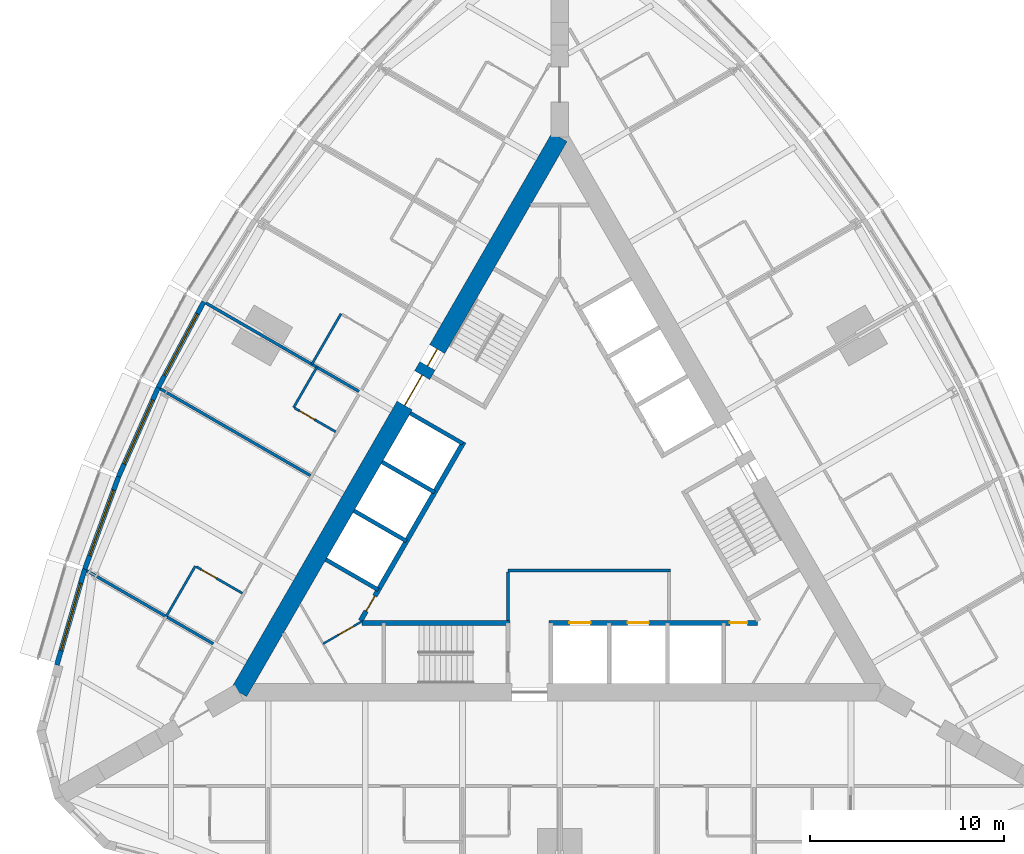
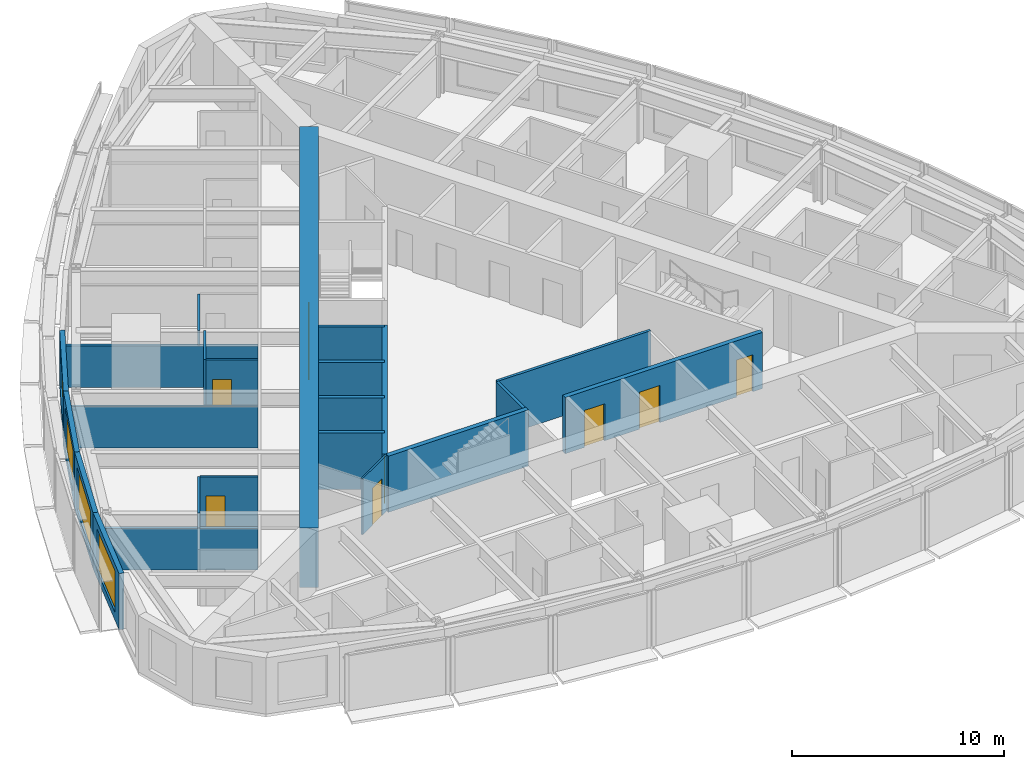
# One storey, part 9 of 14: 23 walls, 9 doors, 4 windows, 13 openings.
"""IFC4 building model written with IfcOpenShell, lengths in metres."""

from ifc_helpers import new_model, si_unit, direction, frame, frame_2d, origin, place, context, subcontext, project, spatial, rectangle, extrude, material, layer, layer_set, type_object, element, fill, save


model = new_model("IFC4")

# Units and contexts
model_context = context("Model", 3, precision=1e-05, world=origin(), true_north=direction((0.0, 1.0)))
body_context = subcontext(model_context, "Body", "Model", "MODEL_VIEW")
ifc_project = project(units=[si_unit("LENGTHUNIT", "METRE"), si_unit("AREAUNIT", "SQUARE_METRE"), si_unit("VOLUMEUNIT", "CUBIC_METRE"), si_unit("PLANEANGLEUNIT", "RADIAN"), si_unit("MASSUNIT", "GRAM", prefix="KILO")], contexts=[model_context])

# Site, building, storey
site_placement = place(None, origin())
site = spatial("IfcSite", under=ifc_project, at=site_placement, CompositionType="ELEMENT")
building_placement = place(site_placement, origin())
building = spatial("IfcBuilding", under=site, at=building_placement, Name="Trikona Tower", CompositionType="ELEMENT")
storey_placement = place(building_placement, frame((0.0, 0.0, 131.699951171875)))
storey = spatial("IfcBuildingStorey", under=building, at=storey_placement, Name="L34", CompositionType="ELEMENT", Elevation=131.699951171875)

# Walls
ifc_material_1 = material(Name="Metal stud and cement board", Category="gypsum")
ifc_layer_1 = layer(ifc_material_1, 0.1201171875)
ifc_layer_set_1 = layer_set([ifc_layer_1], Name="Bathroom wall 120")
wall_type_1 = type_object("IfcWallType", Name="Bathroom wall 120", PredefinedType="PLUMBINGWALL", material=ifc_layer_set_1)
wall_1_placement = place(storey_placement, frame((-11.25341796875, 9.961181640625, 0.0), z_axis=(0.0, 0.0, 1.0), x_axis=(-0.499990139034, -0.866031096941, 0.0)))
element("IfcWall", 1, at=wall_1_placement, inside=storey, type_object=wall_type_1, Name="Bathroom wall 3415", PredefinedType="PLUMBINGWALL", context=body_context, shape_type="SweptSolid", body=[
    extrude(rectangle(XDim=3.0, YDim=0.1201171875, at=frame_2d((1.5, 0.0))), origin(), (0.0, 0.0, 1.0), 3.235107421875),
])
wall_2_placement = place(storey_placement, frame((-12.493408203125, 7.213134765625, 0.0), z_axis=(0.0, 0.0, 1.0), x_axis=(-0.500077600433, -0.865980596518, 0.0)))
element("IfcWall", 2, at=wall_2_placement, inside=storey, type_object=wall_type_1, Name="Bathroom wall 3416", PredefinedType="PLUMBINGWALL", context=body_context, shape_type="SweptSolid", body=[
    extrude(rectangle(XDim=2.39990234375, YDim=0.1201171875, at=frame_2d((1.199951171875, 0.0))), origin(), (0.0, 0.0, 1.0), 3.235107421875),
])

# Wall, opening, door
wall_3_placement = place(storey_placement, frame((-11.528564453125, 3.884765625, 0.0), z_axis=(0.0, 0.0, 1.0), x_axis=(-0.866023955769, 0.500002508028, 0.0)))
wall_3 = element("IfcWall", 3, at=wall_3_placement, inside=storey, type_object=wall_type_1, Name="Bathroom wall 3416", PredefinedType="PLUMBINGWALL", context=body_context, shape_type="SweptSolid", body=[
    extrude(rectangle(XDim=2.43994140625, YDim=0.1201171875, at=frame_2d((1.219970703125, 0.0))), origin(), (0.0, 0.0, 1.0), 3.235107421875),
])
opening_1_placement = place(wall_3_placement, frame((1.25, 0.0, 0.0)))
opening_1 = element("IfcOpeningElement", 4, at=opening_1_placement, cuts=wall_3, Name="Opening D2", PredefinedType="OPENING", context=body_context, shape_type="SweptSolid", body=[
    extrude(rectangle(XDim=0.89990234375, YDim=2.1298828125, at=frame_2d((0.449951171875, 1.06494140625))), frame((0.0, 0.070068359375, 0.0), z_axis=(0.0, -1.0, 0.0), x_axis=(1.0, 0.0, 0.0)), (0.0, 0.0, 1.0), 0.14013671875),
])
ifc_material_2 = material(Name="Steel door frame with solid-core timber leaf", Category="steel")
door_type_1 = type_object("IfcDoorType", Name="Bathroom door 900x2130", OperationType="SLIDING_TO_LEFT", PredefinedType="DOOR", material=ifc_material_2)
door_1_placement = place(opening_1_placement, origin())
door_1 = element("IfcDoor", 5, at=door_1_placement, inside=storey, type_object=door_type_1, Name="Bathroom door 3416", OperationType="SLIDING_TO_LEFT", OverallHeight=2.1298828125, OverallWidth=0.89990234375, PredefinedType="DOOR", context=body_context, shape_type="SweptSolid", body=[
    extrude(rectangle(XDim=0.89990234375, YDim=2.1298828125, at=frame_2d((0.449951171875, 1.06494140625))), frame((0.0, 0.02490234375, 0.0), z_axis=(0.0, -1.0, 0.0), x_axis=(1.0, 0.0, 0.0)), (0.0, 0.0, 1.0), 0.050048828125),
])
fill(opening_1, door_1)

# Wall
wall_4_placement = place(storey_placement, frame((-18.75341796875, -3.029296875, 0.0), z_axis=(0.0, 0.0, 1.0), x_axis=(-0.50002537861, -0.866010750942, 0.0)))
element("IfcWall", 6, at=wall_4_placement, inside=storey, type_object=wall_type_1, Name="Bathroom wall 3417", PredefinedType="PLUMBINGWALL", context=body_context, shape_type="SweptSolid", body=[
    extrude(rectangle(XDim=2.999755859375, YDim=0.1201171875, at=frame_2d((1.5, 0.0))), origin(), (0.0, 0.0, 1.0), 3.235107421875),
])

# Wall, opening, door
wall_5_placement = place(storey_placement, frame((-16.32861328125, -4.42919921875, 0.0), z_axis=(0.0, 0.0, 1.0), x_axis=(-0.865997131366, 0.500048966069, 0.0)))
wall_5 = element("IfcWall", 7, at=wall_5_placement, inside=storey, type_object=wall_type_1, Name="Bathroom wall 3417", PredefinedType="PLUMBINGWALL", context=body_context, shape_type="SweptSolid", body=[
    extrude(rectangle(XDim=2.739990234375, YDim=0.1201171875, at=frame_2d((1.3701171875, 0.0))), origin(), (0.0, 0.0, 1.0), 3.235107421875),
])
opening_2_placement = place(wall_5_placement, frame((1.550048828125, 0.0, 0.0)))
opening_2 = element("IfcOpeningElement", 8, at=opening_2_placement, cuts=wall_5, Name="Opening D2", PredefinedType="OPENING", context=body_context, shape_type="SweptSolid", body=[
    extrude(rectangle(XDim=0.89990234375, YDim=2.1298828125, at=frame_2d((0.449951171875, 1.06494140625))), frame((0.0, 0.070068359375, 0.0), z_axis=(0.0, -1.0, 0.0), x_axis=(1.0, 0.0, 0.0)), (0.0, 0.0, 1.0), 0.14013671875),
])
door_2_placement = place(opening_2_placement, origin())
door_2 = element("IfcDoor", 9, at=door_2_placement, inside=storey, type_object=door_type_1, Name="Bathroom door 3417", OperationType="SLIDING_TO_LEFT", OverallHeight=2.1298828125, OverallWidth=0.89990234375, PredefinedType="DOOR", context=body_context, shape_type="SweptSolid", body=[
    extrude(rectangle(XDim=0.89990234375, YDim=2.1298828125, at=frame_2d((0.449951171875, 1.06494140625))), frame((0.0, 0.02490234375, 0.0), z_axis=(0.0, -1.0, 0.0), x_axis=(1.0, 0.0, 0.0)), (0.0, 0.0, 1.0), 0.050048828125),
])
fill(opening_2, door_2)

# Wall, openings, doors
ifc_material_3 = material(Name="Concrete f'c 10000 psi", Category="concrete")
ifc_layer_2 = layer(ifc_material_3, 0.89990234375)
ifc_layer_set_2 = layer_set([ifc_layer_2], Name="Core wall 900")
wall_type_2 = type_object("IfcWallType", Name="Core wall 900", PredefinedType="SHEAR", material=ifc_layer_set_2)
wall_6_placement = place(storey_placement, frame((0.0, 19.052490234375, 0.0), z_axis=(0.0, 0.0, 1.0), x_axis=(-0.499999749417, -0.866025548458, 0.0)))
wall_6 = element("IfcWall", 10, at=wall_6_placement, inside=storey, type_object=wall_type_2, Name="Core wall C", PredefinedType="SHEAR", context=body_context, shape_type="SweptSolid", body=[
    extrude(rectangle(XDim=33.0, YDim=0.89990234375, at=frame_2d((16.5, 0.0))), origin(), (0.0, 0.0, 1.0), 3.400146484375),
])
opening_3_placement = place(wall_6_placement, frame((14.14990234375, 0.0, 0.0)))
opening_3 = element("IfcOpeningElement", 11, at=opening_3_placement, cuts=wall_6, Name="Opening D6", PredefinedType="OPENING", context=body_context, shape_type="SweptSolid", body=[
    extrude(rectangle(XDim=1.800048828125, YDim=2.1298828125, at=frame_2d((0.89990234375, 1.06494140625))), frame((0.0, 0.4599609375, 0.0), z_axis=(0.0, -1.0, 0.0), x_axis=(1.0, 0.0, 0.0)), (0.0, 0.0, 1.0), 0.919921875),
])
opening_4_placement = place(wall_6_placement, frame((12.60009765625, 0.0, 0.0)))
opening_4 = element("IfcOpeningElement", 12, at=opening_4_placement, cuts=wall_6, Name="Opening D5", PredefinedType="OPENING", context=body_context, shape_type="SweptSolid", body=[
    extrude(rectangle(XDim=1.0, YDim=2.1298828125, at=frame_2d((0.5, 1.06494140625))), frame((0.0, 0.4599609375, 0.0), z_axis=(0.0, -1.0, 0.0), x_axis=(1.0, 0.0, 0.0)), (0.0, 0.0, 1.0), 0.919921875),
])
ifc_material_4 = material(Name="Hollow metal door and frame", Category="steel")
door_type_2 = type_object("IfcDoorType", Name="Lobby door pair 1800x2130", OperationType="DOUBLE_DOOR_SINGLE_SWING", PredefinedType="DOOR", material=ifc_material_4)
door_3_placement = place(opening_3_placement, origin())
door_3 = element("IfcDoor", 13, at=door_3_placement, inside=storey, type_object=door_type_2, Name="Lift lobby door C", OperationType="DOUBLE_DOOR_SINGLE_SWING", OverallHeight=2.1298828125, OverallWidth=1.800048828125, PredefinedType="DOOR", context=body_context, shape_type="SweptSolid", body=[
    extrude(rectangle(XDim=1.800048828125, YDim=2.1298828125, at=frame_2d((0.89990234375, 1.06494140625))), frame((0.0, 0.02490234375, 0.0), z_axis=(0.0, -1.0, 0.0), x_axis=(1.0, 0.0, 0.0)), (0.0, 0.0, 1.0), 0.050048828125),
])
fill(opening_3, door_3)
ifc_material_5 = material(Name="Hollow metal door and frame", Category="steel")
door_type_3 = type_object("IfcDoorType", Name="Stair door 1000x2130", OperationType="SINGLE_SWING_LEFT", PredefinedType="DOOR", material=ifc_material_5)
door_4_placement = place(opening_4_placement, origin())
door_4 = element("IfcDoor", 14, at=door_4_placement, inside=storey, type_object=door_type_3, Name="Stair C door", OperationType="SINGLE_SWING_RIGHT", OverallHeight=2.1298828125, OverallWidth=1.0, PredefinedType="DOOR", context=body_context, shape_type="SweptSolid", body=[
    extrude(rectangle(XDim=1.0, YDim=2.1298828125, at=frame_2d((0.5, 1.06494140625))), frame((0.0, 0.02490234375, 0.0), z_axis=(0.0, -1.0, 0.0), x_axis=(1.0, 0.0, 0.0)), (0.0, 0.0, 1.0), 0.050048828125),
])
fill(opening_4, door_4)

# Wall
ifc_material_6 = material(Name="Concrete f'c 8000 psi", Category="concrete")
ifc_layer_3 = layer(ifc_material_6, 0.25)
ifc_layer_set_3 = layer_set([ifc_layer_3], Name="Hub wall 250")
wall_type_3 = type_object("IfcWallType", Name="Hub wall 250", PredefinedType="SOLIDWALL", material=ifc_layer_set_3)
wall_7_placement = place(storey_placement, frame((-10.182861328125, -5.951416015625, 0.0), z_axis=(0.0, 0.0, 1.0), x_axis=(1.0, 0.0, 0.0)))
element("IfcWall", 15, at=wall_7_placement, inside=storey, type_object=wall_type_3, Name="Lift lobby wall A1", PredefinedType="SOLIDWALL", context=body_context, shape_type="SweptSolid", body=[
    extrude(rectangle(XDim=7.6328125, YDim=0.25, at=frame_2d((3.81640625, 0.0))), origin(), (0.0, 0.0, 1.0), 3.235107421875),
])

# Wall, openings, doors
wall_8_placement = place(storey_placement, frame((-0.550048828125, -5.951416015625, 0.0), z_axis=(0.0, 0.0, 1.0), x_axis=(1.0, 0.0, 0.0)))
wall_8 = element("IfcWall", 16, at=wall_8_placement, inside=storey, type_object=wall_type_3, Name="Lift lobby wall A2", PredefinedType="SOLIDWALL", context=body_context, shape_type="SweptSolid", body=[
    extrude(rectangle(XDim=10.73291015625, YDim=0.25, at=frame_2d((5.366455078125, 0.0))), origin(), (0.0, 0.0, 1.0), 3.235107421875),
])
opening_5_placement = place(wall_8_placement, frame((9.31396484375, 0.0, 0.0)))
opening_5 = element("IfcOpeningElement", 17, at=opening_5_placement, cuts=wall_8, Name="Opening D14", PredefinedType="OPENING", context=body_context, shape_type="SweptSolid", body=[
    extrude(rectangle(XDim=0.89990234375, YDim=2.1298828125, at=frame_2d((0.449951171875, 1.06494140625))), frame((0.0, 0.135009765625, 0.0), z_axis=(0.0, -1.0, 0.0), x_axis=(1.0, 0.0, 0.0)), (0.0, 0.0, 1.0), 0.27001953125),
])
opening_6_placement = place(wall_8_placement, frame((1.050048828125, 0.0, 0.0)))
opening_6 = element("IfcOpeningElement", 18, at=opening_6_placement, cuts=wall_8, Name="Opening LD", PredefinedType="OPENING", context=body_context, shape_type="SweptSolid", body=[
    extrude(rectangle(XDim=1.10009765625, YDim=2.1298828125, at=frame_2d((0.550048828125, 1.06494140625))), frame((0.0, 0.135009765625, 0.0), z_axis=(0.0, -1.0, 0.0), x_axis=(1.0, 0.0, 0.0)), (0.0, 0.0, 1.0), 0.27001953125),
])
opening_7_placement = place(wall_8_placement, frame((4.050048828125, 0.0, 0.0)))
opening_7 = element("IfcOpeningElement", 19, at=opening_7_placement, cuts=wall_8, Name="Opening LD", PredefinedType="OPENING", context=body_context, shape_type="SweptSolid", body=[
    extrude(rectangle(XDim=1.10009765625, YDim=2.1298828125, at=frame_2d((0.550048828125, 1.06494140625))), frame((0.0, 0.135009765625, 0.0), z_axis=(0.0, -1.0, 0.0), x_axis=(1.0, 0.0, 0.0)), (0.0, 0.0, 1.0), 0.27001953125),
])
ifc_material_7 = material(Name="Stainless steel lift landing door", Category="steel")
door_type_4 = type_object("IfcDoorType", Name="Lift landing door 1100x2130", OperationType="DOUBLE_DOOR_SLIDING", PredefinedType="USERDEFINED", material=ifc_material_7)
door_5_placement = place(opening_6_placement, origin())
door_5 = element("IfcDoor", 20, at=door_5_placement, inside=storey, type_object=door_type_4, Name="Lift landing door FF1", ObjectType="LIFT LANDING DOOR", OperationType="DOUBLE_DOOR_SLIDING", OverallHeight=2.1298828125, OverallWidth=1.10009765625, PredefinedType="USERDEFINED", context=body_context, shape_type="SweptSolid", body=[
    extrude(rectangle(XDim=1.10009765625, YDim=2.1298828125, at=frame_2d((0.550048828125, 1.06494140625))), frame((0.0, 0.02490234375, 0.0), z_axis=(0.0, -1.0, 0.0), x_axis=(1.0, 0.0, 0.0)), (0.0, 0.0, 1.0), 0.050048828125),
])
fill(opening_6, door_5)
door_6_placement = place(opening_7_placement, origin())
door_6 = element("IfcDoor", 21, at=door_6_placement, inside=storey, type_object=door_type_4, Name="Lift landing door FF2", ObjectType="LIFT LANDING DOOR", OperationType="DOUBLE_DOOR_SLIDING", OverallHeight=2.1298828125, OverallWidth=1.10009765625, PredefinedType="USERDEFINED", context=body_context, shape_type="SweptSolid", body=[
    extrude(rectangle(XDim=1.10009765625, YDim=2.1298828125, at=frame_2d((0.550048828125, 1.06494140625))), frame((0.0, 0.02490234375, 0.0), z_axis=(0.0, -1.0, 0.0), x_axis=(1.0, 0.0, 0.0)), (0.0, 0.0, 1.0), 0.050048828125),
])
fill(opening_7, door_6)
ifc_material_8 = material(Name="Hollow metal door and frame", Category="steel")
door_type_5 = type_object("IfcDoorType", Name="Service room door 900x2130", OperationType="SINGLE_SWING_LEFT", PredefinedType="DOOR", material=ifc_material_8)
door_7_placement = place(opening_5_placement, origin())
door_7 = element("IfcDoor", 22, at=door_7_placement, inside=storey, type_object=door_type_5, Name="Door Linen store LIN", OperationType="SINGLE_SWING_RIGHT", OverallHeight=2.1298828125, OverallWidth=0.89990234375, PredefinedType="DOOR", context=body_context, shape_type="SweptSolid", body=[
    extrude(rectangle(XDim=0.89990234375, YDim=2.1298828125, at=frame_2d((0.449951171875, 1.06494140625))), frame((0.0, 0.02490234375, 0.0), z_axis=(0.0, -1.0, 0.0), x_axis=(1.0, 0.0, 0.0)), (0.0, 0.0, 1.0), 0.050048828125),
])
fill(opening_5, door_7)

# Wall, opening, door
wall_9_placement = place(storey_placement, frame((-4.928955078125, 3.365478515625, 0.0), z_axis=(0.0, 0.0, 1.0), x_axis=(-0.499991433582, -0.866030349552, 0.0)))
wall_9 = element("IfcWall", 23, at=wall_9_placement, inside=storey, type_object=wall_type_3, Name="Lift lobby wall C2", PredefinedType="SOLIDWALL", context=body_context, shape_type="SweptSolid", body=[
    extrude(rectangle(XDim=10.633056640625, YDim=0.25, at=frame_2d((5.31640625, 0.0))), origin(), (0.0, 0.0, 1.0), 3.235107421875),
])
opening_8_placement = place(wall_9_placement, frame((9.1640625, 0.0, 0.0)))
opening_8 = element("IfcOpeningElement", 24, at=opening_8_placement, cuts=wall_9, Name="Opening D14", PredefinedType="OPENING", context=body_context, shape_type="SweptSolid", body=[
    extrude(rectangle(XDim=0.89990234375, YDim=2.1298828125, at=frame_2d((0.449951171875, 1.06494140625))), frame((0.0, 0.135009765625, 0.0), z_axis=(0.0, -1.0, 0.0), x_axis=(1.0, 0.0, 0.0)), (0.0, 0.0, 1.0), 0.27001953125),
])
door_8_placement = place(opening_8_placement, origin())
door_8 = element("IfcDoor", 25, at=door_8_placement, inside=storey, type_object=door_type_5, Name="Door Housekeeping store HKS", OperationType="SINGLE_SWING_RIGHT", OverallHeight=2.1298828125, OverallWidth=0.89990234375, PredefinedType="DOOR", context=body_context, shape_type="SweptSolid", body=[
    extrude(rectangle(XDim=0.89990234375, YDim=2.1298828125, at=frame_2d((0.449951171875, 1.06494140625))), frame((0.0, 0.02490234375, 0.0), z_axis=(0.0, -1.0, 0.0), x_axis=(1.0, 0.0, 0.0)), (0.0, 0.0, 1.0), 0.050048828125),
])
fill(opening_8, door_8)

# Wall, opening, window
ifc_material_9 = material(Name="Insulated precast concrete spandrel panel", Category="concrete")
ifc_layer_4 = layer(ifc_material_9, 0.25)
ifc_layer_set_4 = layer_set([ifc_layer_4], Name="Inner skin wall 250")
wall_type_4 = type_object("IfcWallType", Name="Inner skin wall 250", PredefinedType="STANDARD", material=ifc_layer_set_4)
wall_10_placement = place(storey_placement, frame((-18.314453125, 10.578857421875, 0.0), z_axis=(0.0, 0.0, 1.0), x_axis=(-0.469404966864, -0.882982999317, 0.0)))
wall_10 = element("IfcWall", 26, at=wall_10_placement, inside=storey, type_object=wall_type_4, Name="External wall L34-28", PredefinedType="STANDARD", context=body_context, shape_type="SweptSolid", body=[
    extrude(rectangle(XDim=5.0029296875, YDim=0.25, at=frame_2d((2.50146484375, 0.0))), origin(), (0.0, 0.0, 1.0), 3.235107421875),
])
opening_9_placement = place(wall_10_placement, frame((0.701416015625, 0.0, 0.449951171875)))
opening_9 = element("IfcOpeningElement", 27, at=opening_9_placement, cuts=wall_10, Name="Opening W3624", PredefinedType="OPENING", context=body_context, shape_type="SweptSolid", body=[
    extrude(rectangle(XDim=3.60009765625, YDim=2.39990234375, at=frame_2d((1.800048828125, 1.199951171875))), frame((0.0, 0.135009765625, 0.0), z_axis=(0.0, -1.0, 0.0), x_axis=(1.0, 0.0, 0.0)), (0.0, 0.0, 1.0), 0.27001953125),
])
ifc_material_10 = material(Name="Aluminium-framed double glazing", Category="aluminium")
window_type = type_object("IfcWindowType", Name="Window 3600x2400", PartitioningType="SINGLE_PANEL", PredefinedType="WINDOW", material=ifc_material_10)
window_1_placement = place(opening_9_placement, origin())
window_1 = element("IfcWindow", 28, at=window_1_placement, inside=storey, type_object=window_type, Name="Window 3416", OverallHeight=2.39990234375, OverallWidth=3.60009765625, PartitioningType="SINGLE_PANEL", PredefinedType="WINDOW", context=body_context, shape_type="SweptSolid", body=[
    extrude(rectangle(XDim=3.60009765625, YDim=2.39990234375, at=frame_2d((1.800048828125, 1.199951171875))), frame((0.0, 0.030029296875, 0.0), z_axis=(0.0, -1.0, 0.0), x_axis=(1.0, 0.0, 0.0)), (0.0, 0.0, 1.0), 0.06005859375),
])
fill(opening_9, window_1)

wall_11_placement = place(storey_placement, frame((-20.6591796875, 6.169189453125, 0.0), z_axis=(0.0, 0.0, 1.0), x_axis=(-0.406832200364, -0.913502906808, 0.0)))
wall_11 = element("IfcWall", 29, at=wall_11_placement, inside=storey, type_object=wall_type_4, Name="External wall L34-29", PredefinedType="STANDARD", context=body_context, shape_type="SweptSolid", body=[
    extrude(rectangle(XDim=5.027587890625, YDim=0.25, at=frame_2d((2.513671875, 0.0))), origin(), (0.0, 0.0, 1.0), 3.235107421875),
])
opening_10_placement = place(wall_11_placement, frame((0.713623046875, 0.0, 0.449951171875)))
opening_10 = element("IfcOpeningElement", 30, at=opening_10_placement, cuts=wall_11, Name="Opening W3624", PredefinedType="OPENING", context=body_context, shape_type="SweptSolid", body=[
    extrude(rectangle(XDim=3.60009765625, YDim=2.39990234375, at=frame_2d((1.800048828125, 1.199951171875))), frame((0.0, 0.135009765625, 0.0), z_axis=(0.0, -1.0, 0.0), x_axis=(1.0, 0.0, 0.0)), (0.0, 0.0, 1.0), 0.27001953125),
])
window_2_placement = place(opening_10_placement, origin())
window_2 = element("IfcWindow", 31, at=window_2_placement, inside=storey, type_object=window_type, Name="Window 3417", OverallHeight=2.39990234375, OverallWidth=3.60009765625, PartitioningType="SINGLE_PANEL", PredefinedType="WINDOW", context=body_context, shape_type="SweptSolid", body=[
    extrude(rectangle(XDim=3.60009765625, YDim=2.39990234375, at=frame_2d((1.800048828125, 1.199951171875))), frame((0.0, 0.030029296875, 0.0), z_axis=(0.0, -1.0, 0.0), x_axis=(1.0, 0.0, 0.0)), (0.0, 0.0, 1.0), 0.06005859375),
])
fill(opening_10, window_2)

wall_12_placement = place(storey_placement, frame((-22.701416015625, 1.58447265625, 0.0), z_axis=(0.0, 0.0, 1.0), x_axis=(-0.343225593282, -0.939252996863, 0.0)))
wall_12 = element("IfcWall", 32, at=wall_12_placement, inside=storey, type_object=wall_type_4, Name="External wall L34-30", PredefinedType="STANDARD", context=body_context, shape_type="SweptSolid", body=[
    extrude(rectangle(XDim=5.075927734375, YDim=0.25, at=frame_2d((2.5380859375, 0.0))), origin(), (0.0, 0.0, 1.0), 3.235107421875),
])
opening_11_placement = place(wall_12_placement, frame((0.738037109375, 0.0, 0.449951171875)))
opening_11 = element("IfcOpeningElement", 33, at=opening_11_placement, cuts=wall_12, Name="Opening W3624", PredefinedType="OPENING", context=body_context, shape_type="SweptSolid", body=[
    extrude(rectangle(XDim=3.60009765625, YDim=2.39990234375, at=frame_2d((1.800048828125, 1.199951171875))), frame((0.0, 0.135009765625, 0.0), z_axis=(0.0, -1.0, 0.0), x_axis=(1.0, 0.0, 0.0)), (0.0, 0.0, 1.0), 0.27001953125),
])
window_3_placement = place(opening_11_placement, origin())
window_3 = element("IfcWindow", 34, at=window_3_placement, inside=storey, type_object=window_type, Name="Window 3417", OverallHeight=2.39990234375, OverallWidth=3.60009765625, PartitioningType="SINGLE_PANEL", PredefinedType="WINDOW", context=body_context, shape_type="SweptSolid", body=[
    extrude(rectangle(XDim=3.60009765625, YDim=2.39990234375, at=frame_2d((1.800048828125, 1.199951171875))), frame((0.0, 0.030029296875, 0.0), z_axis=(0.0, -1.0, 0.0), x_axis=(1.0, 0.0, 0.0)), (0.0, 0.0, 1.0), 0.06005859375),
])
fill(opening_11, window_3)

wall_13_placement = place(storey_placement, frame((-24.44091796875, -3.17529296875, 0.0), z_axis=(0.0, 0.0, 1.0), x_axis=(-0.279528287117, -0.960137457191, 0.0)))
wall_13 = element("IfcWall", 35, at=wall_13_placement, inside=storey, type_object=wall_type_4, Name="External wall L34-31", PredefinedType="STANDARD", context=body_context, shape_type="SweptSolid", body=[
    extrude(rectangle(XDim=5.14794921875, YDim=0.25, at=frame_2d((2.573974609375, 0.0))), origin(), (0.0, 0.0, 1.0), 3.235107421875),
])
opening_12_placement = place(wall_13_placement, frame((0.77392578125, 0.0, 0.449951171875)))
opening_12 = element("IfcOpeningElement", 36, at=opening_12_placement, cuts=wall_13, Name="Opening W3624", PredefinedType="OPENING", context=body_context, shape_type="SweptSolid", body=[
    extrude(rectangle(XDim=3.60009765625, YDim=2.39990234375, at=frame_2d((1.800048828125, 1.199951171875))), frame((0.0, 0.135009765625, 0.0), z_axis=(0.0, -1.0, 0.0), x_axis=(1.0, 0.0, 0.0)), (0.0, 0.0, 1.0), 0.27001953125),
])
window_4_placement = place(opening_12_placement, origin())
window_4 = element("IfcWindow", 37, at=window_4_placement, inside=storey, type_object=window_type, Name="Window 3418", OverallHeight=2.39990234375, OverallWidth=3.60009765625, PartitioningType="SINGLE_PANEL", PredefinedType="WINDOW", context=body_context, shape_type="SweptSolid", body=[
    extrude(rectangle(XDim=3.60009765625, YDim=2.39990234375, at=frame_2d((1.800048828125, 1.199951171875))), frame((0.0, 0.030029296875, 0.0), z_axis=(0.0, -1.0, 0.0), x_axis=(1.0, 0.0, 0.0)), (0.0, 0.0, 1.0), 0.06005859375),
])
fill(opening_12, window_4)

# Walls
ifc_material_11 = material(Name="Metal stud and gypsum board, 2-hour shaft wall", Category="gypsum")
ifc_layer_5 = layer(ifc_material_11, 0.14990234375)
ifc_layer_set_5 = layer_set([ifc_layer_5], Name="Lobby wall 150")
wall_type_5 = type_object("IfcWallType", Name="Lobby wall 150", PredefinedType="PARTITIONING", material=ifc_layer_set_5)
wall_14_placement = place(storey_placement, frame((-2.64990234375, -3.251220703125, 0.0), z_axis=(0.0, 0.0, 1.0), x_axis=(1.0, 0.0, 0.0)))
element("IfcWall", 38, at=wall_14_placement, inside=storey, type_object=wall_type_5, Name="Fire service lift lobby wall 1", PredefinedType="PARTITIONING", context=body_context, shape_type="SweptSolid", body=[
    extrude(rectangle(XDim=8.349853515625, YDim=0.14990234375, at=frame_2d((4.1748046875, 0.0))), origin(), (0.0, 0.0, 1.0), 3.235107421875),
])
wall_15_placement = place(storey_placement, frame((-2.64990234375, -5.826416015625, 0.0), z_axis=(0.0, 0.0, 1.0), x_axis=(0.0, 1.0, 0.0)))
element("IfcWall", 39, at=wall_15_placement, inside=storey, type_object=wall_type_5, Name="Fire service lift lobby wall 2", PredefinedType="PARTITIONING", context=body_context, shape_type="SweptSolid", body=[
    extrude(rectangle(XDim=2.5, YDim=0.14990234375, at=frame_2d((1.25, 0.0))), origin(), (0.0, 0.0, 1.0), 3.235107421875),
])
ifc_material_12 = material(Name="Metal stud and gypsum board, 1-hour acoustic", Category="gypsum")
ifc_layer_6 = layer(ifc_material_12, 0.14990234375)
ifc_layer_set_6 = layer_set([ifc_layer_6], Name="Party wall 150")
wall_type_6 = type_object("IfcWallType", Name="Party wall 150", PredefinedType="PARTITIONING", material=ifc_layer_set_6)
wall_16_placement = place(storey_placement, frame((-10.32861328125, 5.963134765625, 0.0), z_axis=(0.0, 0.0, 1.0), x_axis=(-0.866025170687, 0.500000403736, 0.0)))
element("IfcWall", 40, at=wall_16_placement, inside=storey, type_object=wall_type_6, Name="Partition L34 F3 u0", PredefinedType="PARTITIONING", context=body_context, shape_type="SweptSolid", body=[
    extrude(rectangle(XDim=9.0986328125, YDim=0.14990234375, at=frame_2d((4.54931640625, 0.0))), origin(), (0.0, 0.0, 1.0), 2.38916015625),
])
wall_17_placement = place(storey_placement, frame((-12.82861328125, 1.633056640625, 0.0), z_axis=(0.0, 0.0, 1.0), x_axis=(-0.866027015393, 0.499997208602, 0.0)))
element("IfcWall", 41, at=wall_17_placement, inside=storey, type_object=wall_type_6, Name="Partition L34 F3 u5", PredefinedType="PARTITIONING", context=body_context, shape_type="SweptSolid", body=[
    extrude(rectangle(XDim=8.92236328125, YDim=0.14990234375, at=frame_2d((4.461181640625, 0.0))), origin(), (0.0, 0.0, 1.0), 2.38916015625),
])
wall_18_placement = place(storey_placement, frame((-17.82861328125, -7.027099609375, 0.0), z_axis=(0.0, 0.0, 1.0), x_axis=(-0.866029804378, 0.499992377871, 0.0)))
element("IfcWall", 42, at=wall_18_placement, inside=storey, type_object=wall_type_6, Name="Partition L34 F3 u15", PredefinedType="PARTITIONING", context=body_context, shape_type="SweptSolid", body=[
    extrude(rectangle(XDim=7.51611328125, YDim=0.14990234375, at=frame_2d((3.758056640625, 0.0))), origin(), (0.0, 0.0, 1.0), 2.38916015625),
])
ifc_material_13 = material(Name="Concrete f'c 8000 psi", Category="concrete")
ifc_layer_7 = layer(ifc_material_13, 0.199951171875)
ifc_layer_set_7 = layer_set([ifc_layer_7], Name="Shaft wall 200")
wall_type_7 = type_object("IfcWallType", Name="Shaft wall 200", PredefinedType="SOLIDWALL", material=ifc_layer_set_7)
for number, where, z_axis, x_axis, name in (
    (43, (-4.97900390625, 3.27880859375, 0.0), (0.0, 0.0, 1.0), (-0.866022959057, 0.500004234368, 0.0), "Shaft wall C3"),
    (44, (-6.428955078125, 0.767333984375, 0.0), (0.0, 0.0, 1.0), (-0.866022959057, 0.500004234368, 0.0), "Shaft wall C4"),
    (45, (-7.87890625, -1.744140625, 0.0), (0.0, 0.0, 1.0), (-0.866022959057, 0.500004234368, 0.0), "Shaft wall C5"),
    (46, (-9.3291015625, -4.255615234375, 0.0), (0.0, 0.0, 1.0), (-0.866022959057, 0.500004234368, 0.0), "Shaft wall C6"),
):
    element("IfcWall", number, at=place(storey_placement, frame(where, z_axis=z_axis, x_axis=x_axis)), inside=storey, type_object=wall_type_7, Name=name, PredefinedType="SOLIDWALL", context=body_context, shape_type="SweptSolid", body=[
        extrude(rectangle(XDim=3.125, YDim=0.199951171875, at=frame_2d((1.5625, 0.0))), origin(), (0.0, 0.0, 1.0), 3.235107421875),
    ])

# Wall, opening, door
ifc_material_14 = material(Name="Metal stud and gypsum board, acoustic", Category="gypsum")
ifc_layer_8 = layer(ifc_material_14, 0.10009765625)
ifc_layer_set_8 = layer_set([ifc_layer_8], Name="Suite partition 100")
wall_type_8 = type_object("IfcWallType", Name="Suite partition 100", PredefinedType="PARTITIONING", material=ifc_layer_set_8)
wall_19_placement = place(storey_placement, frame((-12.169921875, -7.0263671875, 0.0), z_axis=(0.0, 0.0, 1.0), x_axis=(0.866015833478, 0.50001657589, 0.0)))
wall_19 = element("IfcWall", 47, at=wall_19_placement, inside=storey, type_object=wall_type_8, Name="Store partition L34-RS3", PredefinedType="PARTITIONING", context=body_context, shape_type="SweptSolid", body=[
    extrude(rectangle(XDim=2.275390625, YDim=0.10009765625, at=frame_2d((1.1376953125, 0.0))), origin(), (0.0, 0.0, 1.0), 3.235107421875),
])
opening_13_placement = place(wall_19_placement, frame((0.9150390625, 0.0, 0.0)))
opening_13 = element("IfcOpeningElement", 48, at=opening_13_placement, cuts=wall_19, Name="Opening D15", PredefinedType="OPENING", context=body_context, shape_type="SweptSolid", body=[
    extrude(rectangle(XDim=0.89990234375, YDim=2.1298828125, at=frame_2d((0.449951171875, 1.06494140625))), frame((0.0, 0.06005859375, 0.0), z_axis=(0.0, -1.0, 0.0), x_axis=(1.0, 0.0, 0.0)), (0.0, 0.0, 1.0), 0.1201171875),
])
ifc_material_15 = material(Name="Steel door frame with solid-core timber leaf", Category="steel")
door_type_6 = type_object("IfcDoorType", Name="Store door 900x2130", OperationType="SINGLE_SWING_LEFT", PredefinedType="DOOR", material=ifc_material_15)
door_9_placement = place(opening_13_placement, origin())
door_9 = element("IfcDoor", 49, at=door_9_placement, inside=storey, type_object=door_type_6, Name="Door Minibar store MBS", OperationType="SINGLE_SWING_RIGHT", OverallHeight=2.1298828125, OverallWidth=0.89990234375, PredefinedType="DOOR", context=body_context, shape_type="SweptSolid", body=[
    extrude(rectangle(XDim=0.89990234375, YDim=2.1298828125, at=frame_2d((0.449951171875, 1.06494140625))), frame((0.0, 0.02490234375, 0.0), z_axis=(0.0, -1.0, 0.0), x_axis=(1.0, 0.0, 0.0)), (0.0, 0.0, 1.0), 0.050048828125),
])
fill(opening_13, door_9)

save(model, "model.ifc")
